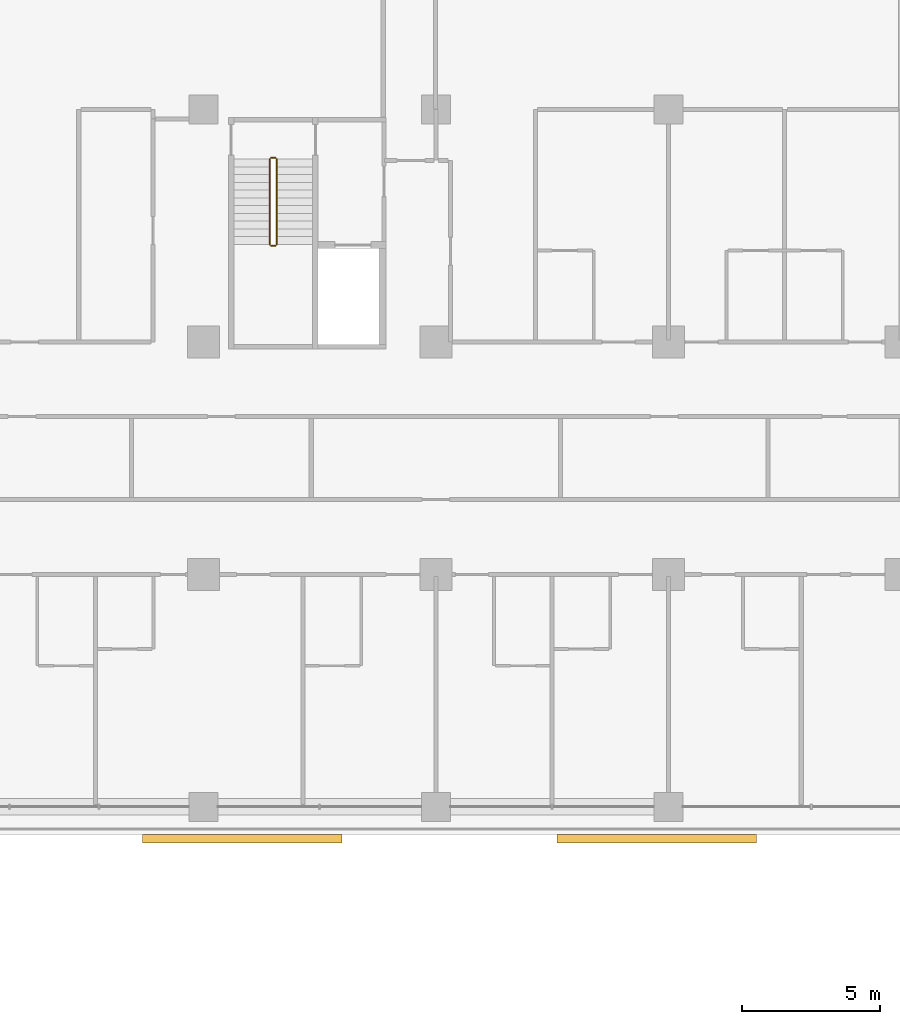
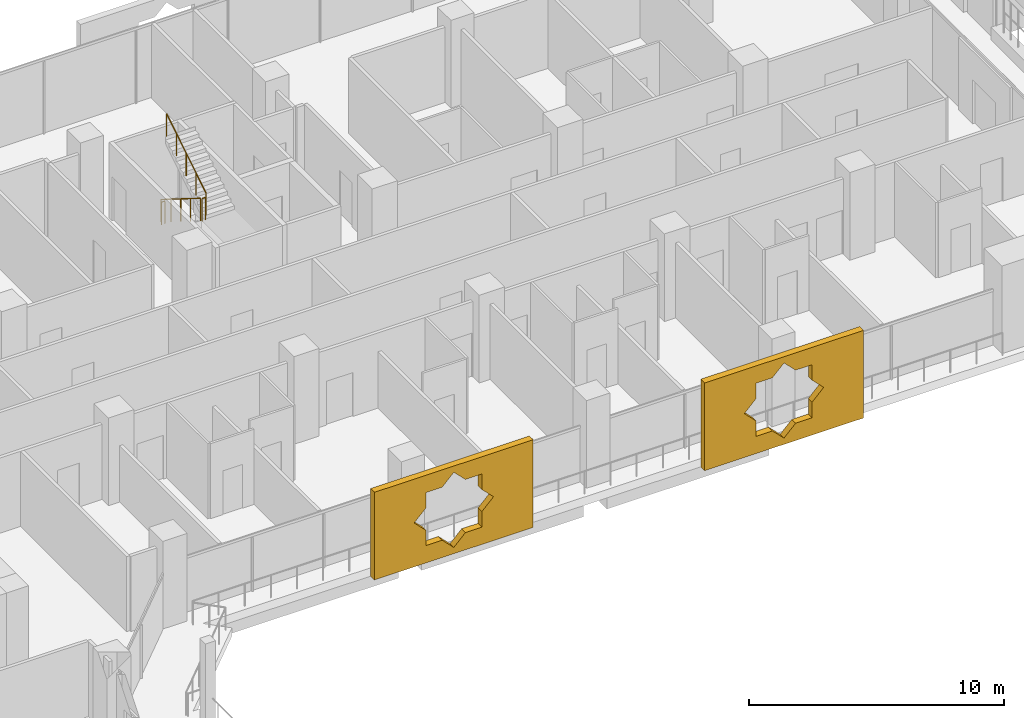
# One storey, part 24 of 25: 4 railings, 2 coverings.
"""IFC4 building model written with IfcOpenShell, lengths in metres."""

import ifcopenshell
import ifcopenshell.guid

model = None  # the IFC model being written
_history = None  # IfcOwnerHistory: only IFC2X3 demands one
_inside = {}  # id of a spatial element -> (the spatial element, [elements in it])
_under = {}  # id of a project, library or spatial element -> (it, [spatial elements below it])
_declared = {}  # id of a project -> (the project, [libraries it declares])
_typed = {}  # id of a type object -> (the type object, [elements of that type])
_made_of = {}  # id of a material, layer set ... -> (it, [elements and type objects made of it])


def new_model(schema):
    """Start an empty IFC model of exactly this schema.

    Asked for "IFC4X3", IfcOpenShell would pick the latest addendum, in which some entities
    have other attributes; the version numbers below select the first issue.
    IFC2X3 requires an IfcOwnerHistory on every rooted entity: one is made here for all.
    """
    global model, _history
    if schema == "IFC4X3":
        model = ifcopenshell.file(schema_version=(4, 3, 0, 0))
    else:
        model = ifcopenshell.file(schema=schema)
    _inside.clear()
    _under.clear()
    _declared.clear()
    _typed.clear()
    _made_of.clear()
    _history = None
    if model.schema == "IFC2X3":
        org = make("IfcOrganization", Name="unknown")
        user = make(
            "IfcPersonAndOrganization",
            ThePerson=make("IfcPerson", FamilyName="unknown"),
            TheOrganization=org,
        )
        app = make(
            "IfcApplication",
            ApplicationDeveloper=org,
            Version="unknown",
            ApplicationFullName="unknown",
            ApplicationIdentifier="unknown",
        )
        _history = make(
            "IfcOwnerHistory",
            OwningUser=user,
            OwningApplication=app,
            ChangeAction="ADDED",
            CreationDate=0,
        )
    return model


def make(cls, **values):
    """One entity of the class cls with the attributes given. An attribute that is None is left unset."""
    return model.create_entity(
        cls, **{name: value for name, value in values.items() if value is not None}
    )


def rooted(cls, **values):
    """An entity with a GlobalId (a new one), such as an element, a storey or a relation."""
    return make(cls, GlobalId=ifcopenshell.guid.new(), OwnerHistory=_history, **values)


def si_unit(unit_type, name, prefix=None):
    """IfcSIUnit, for example si_unit("LENGTHUNIT", "METRE", prefix="MILLI")."""
    return make("IfcSIUnit", UnitType=unit_type, Prefix=prefix, Name=name)


def assignment(units):
    """IfcUnitAssignment: the units of a project."""
    return None if units is None else make("IfcUnitAssignment", Units=units)


def point(xyz):
    """IfcCartesianPoint."""
    return None if xyz is None else make("IfcCartesianPoint", Coordinates=xyz)


def direction(xyz):
    """IfcDirection."""
    return None if xyz is None else make("IfcDirection", DirectionRatios=xyz)


def frame(location, z_axis=None, x_axis=None):
    """IfcAxis2Placement3D, a coordinate frame: its origin and axes. An axis left out is left unset."""
    return make(
        "IfcAxis2Placement3D",
        Location=point(location),
        Axis=direction(z_axis),
        RefDirection=direction(x_axis),
    )


def frame_2d(location, x_axis=None):
    """IfcAxis2Placement2D, a coordinate frame in the plane: its origin and x axis."""
    return make(
        "IfcAxis2Placement2D", Location=point(location), RefDirection=direction(x_axis)
    )


def origin():
    """The frame at (0, 0, 0) with its axes left unset."""
    return frame((0.0, 0.0, 0.0))


def origin_2d():
    """The frame at (0, 0) in the plane with its x axis left unset."""
    return frame_2d((0.0, 0.0))


def place(relative_to, where):
    """IfcLocalPlacement: puts the frame where relative to a parent placement (None: the world)."""
    return make(
        "IfcLocalPlacement", PlacementRelTo=relative_to, RelativePlacement=where
    )


def context(
    kind, dimensions, precision=None, world=None, true_north=None, identifier=None
):
    """IfcGeometricRepresentationContext, for example the 3D "Model" context."""
    return make(
        "IfcGeometricRepresentationContext",
        ContextIdentifier=identifier,
        ContextType=kind,
        CoordinateSpaceDimension=dimensions,
        Precision=precision,
        WorldCoordinateSystem=world,
        TrueNorth=true_north,
    )


def subcontext(parent, identifier, kind, view, scale=None):
    """IfcGeometricRepresentationSubContext, for example "Body" below "Model"."""
    return make(
        "IfcGeometricRepresentationSubContext",
        ContextIdentifier=identifier,
        ContextType=kind,
        ParentContext=parent,
        TargetScale=scale,
        TargetView=view,
    )


def project(units=None, contexts=None):
    """IfcProject with its units and contexts."""
    return rooted(
        "IfcProject",
        Name="project",
        RepresentationContexts=contexts,
        UnitsInContext=assignment(units),
    )


def spatial(cls, under=None, at=None, **own):
    """A site, building, storey or space (cls), placed at a placement, below another one or the project."""
    s = rooted(cls, ObjectPlacement=at, **own)
    if under is not None:
        _under.setdefault(under.id(), (under, []))[1].append(s)
    return s


def polyline(points):
    """IfcPolyline through the points."""
    return make("IfcPolyline", Points=[point(p) for p in points])


def profile(cls, at=None, kind="AREA", **sizes):
    """A parametric profile (cls). Its sizes go by their IFC names, for example OverallWidth=200.0."""
    return make(cls, ProfileType=kind, Position=at, **sizes)


def circle(**sizes):
    """IfcCircleProfileDef."""
    return profile("IfcCircleProfileDef", **sizes)


def outline(outer, holes=None, kind="AREA"):
    """IfcArbitraryClosedProfileDef: a profile drawn as a closed curve; with holes, ...WithVoids."""
    if holes is None:
        return make("IfcArbitraryClosedProfileDef", ProfileType=kind, OuterCurve=outer)
    return make(
        "IfcArbitraryProfileDefWithVoids",
        ProfileType=kind,
        OuterCurve=outer,
        InnerCurves=holes,
    )


def extrude(swept, where, along, depth):
    """IfcExtrudedAreaSolid: the profile swept, set in the frame where, extruded along a direction by depth."""
    return make(
        "IfcExtrudedAreaSolid",
        SweptArea=swept,
        Position=where,
        ExtrudedDirection=direction(along),
        Depth=depth,
    )


def shape(context_of_items, identifier, shape_type, items):
    """IfcShapeRepresentation: the items that make up one representation, for example the "Body"."""
    return make(
        "IfcShapeRepresentation",
        ContextOfItems=context_of_items,
        RepresentationIdentifier=identifier,
        RepresentationType=shape_type,
        Items=items,
    )


def material(Name=None, Category=None):
    """IfcMaterial."""
    return make("IfcMaterial", Name=Name, Category=Category)


def material_profile(
    of_material, cross_section, Name=None, Category=None, Priority=None
):
    """IfcMaterialProfile: a cross section and its material."""
    return make(
        "IfcMaterialProfile",
        Name=Name,
        Material=of_material,
        Profile=cross_section,
        Priority=Priority,
        Category=Category,
    )


def profile_set(profiles, Name=None, composite=None):
    """IfcMaterialProfileSet."""
    return make(
        "IfcMaterialProfileSet",
        Name=Name,
        MaterialProfiles=profiles,
        CompositeProfile=composite,
    )


def made_of(thing, what):
    """Note that an element or type object is made of a material, layer set ...; save() writes the relation."""
    if what is not None:
        _made_of.setdefault(what.id(), (what, []))[1].append(thing)
    return thing


def type_object(cls, material=None, **own):
    """A type object (cls), such as IfcWallType, which elements share."""
    return made_of(rooted(cls, **own), material)


def element(
    cls,
    number,
    at=None,
    inside=None,
    cuts=None,
    type_object=None,
    material=None,
    context=None,
    identifier="Body",
    shape_type=None,
    held_by="IfcProductDefinitionShape",
    body=None,
    shapes=None,
    **own,
):
    """One element of the class cls, such as IfcWall. Its Tag is "e" and its number.

    at: its placement. inside: the storey or other place that contains it. cuts: it is an
    opening in that element (IfcRelVoidsElement). A single representation is given by context,
    identifier, shape_type and body (its items); several are given by shapes. held_by: the class
    of the entity that holds the representations. save() writes the other relations.
    """
    e = rooted(cls, Tag="e%d" % number, ObjectPlacement=at, **own)
    if body is not None:
        shapes = [shape(context, identifier, shape_type, body)]
    if shapes is not None:
        e.Representation = make(held_by, Representations=shapes)
    if inside is not None:
        _inside.setdefault(inside.id(), (inside, []))[1].append(e)
    if cuts is not None:
        rooted(
            "IfcRelVoidsElement", RelatingBuildingElement=cuts, RelatedOpeningElement=e
        )
    if type_object is not None:
        _typed.setdefault(type_object.id(), (type_object, []))[1].append(e)
    return made_of(e, material)


def aggregate(whole, parts):
    """IfcRelAggregates: a whole, such as a stair, and the parts it consists of."""
    return rooted("IfcRelAggregates", RelatingObject=whole, RelatedObjects=parts)


def save(model, path):
    """Write the relations noted so far, then the file.

    IfcRelAggregates (storeys below a building ...), IfcRelContainedInSpatialStructure (elements
    in a storey), IfcRelDefinesByType, IfcRelAssociatesMaterial and IfcRelDeclares: one each for
    every whole, place, type object, material and project.
    """
    for whole, parts in _under.values():
        aggregate(whole, parts)
    for where, things in _inside.values():
        rooted(
            "IfcRelContainedInSpatialStructure",
            RelatedElements=things,
            RelatingStructure=where,
        )
    for kind, things in _typed.values():
        rooted("IfcRelDefinesByType", RelatedObjects=things, RelatingType=kind)
    for what, things in _made_of.values():
        rooted("IfcRelAssociatesMaterial", RelatedObjects=things, RelatingMaterial=what)
    for by, libraries in _declared.values():
        rooted("IfcRelDeclares", RelatingContext=by, RelatedDefinitions=libraries)
    model.write(path)


model = new_model("IFC4")

# Units and contexts
model_context = context("Model", 3, precision=1e-05, world=origin(), true_north=direction((0.0, 1.0)))
body_context = subcontext(model_context, "Body", "Model", "MODEL_VIEW")
ifc_project = project(units=[si_unit("LENGTHUNIT", "METRE"), si_unit("AREAUNIT", "SQUARE_METRE"), si_unit("VOLUMEUNIT", "CUBIC_METRE"), si_unit("PLANEANGLEUNIT", "RADIAN"), si_unit("MASSUNIT", "GRAM", prefix="KILO")], contexts=[model_context])

# Site, building, storey
site_placement = place(None, origin())
site = spatial("IfcSite", under=ifc_project, at=site_placement, CompositionType="ELEMENT")
building_placement = place(site_placement, origin())
building = spatial("IfcBuilding", under=site, at=building_placement, Name="Kawkab Arch Medical Tower", CompositionType="ELEMENT")
storey_placement = place(building_placement, frame((0.0, 0.0, 111.39990234375)))
storey = spatial("IfcBuildingStorey", under=building, at=storey_placement, Name="L25", CompositionType="ELEMENT", Elevation=111.39990234375)

# Coverings
ifc_material_1 = material(Name="Bronze anodised aluminium mashrabiya panel, eight-point star pattern", Category="aluminium")
ifc_material_profile = material_profile(ifc_material_1, outline(polyline([(-3.60009765625, -2.10009765625), (3.60009765625, -2.10009765625), (3.60009765625, 2.10009765625), (-3.60009765625, 2.10009765625), (-3.60009765625, -2.10009765625)]), holes=[polyline([(1.800048828125, 0.0), (1.272705078125, 0.527099609375), (1.272705078125, 1.272705078125), (0.527099609375, 1.272705078125), (0.0, 1.800048828125), (-0.527099609375, 1.272705078125), (-1.272705078125, 1.272705078125), (-1.272705078125, 0.527099609375), (-1.800048828125, 0.0), (-1.272705078125, -0.527099609375), (-1.272705078125, -1.272705078125), (-0.527099609375, -1.272705078125), (0.0, -1.800048828125), (0.527099609375, -1.272705078125), (1.272705078125, -1.272705078125), (1.272705078125, -0.527099609375), (1.800048828125, 0.0)])]), Name="Mashrabiya panel 7200x4200")
ifc_profile_set = profile_set([ifc_material_profile], Name="Bronze anodised aluminium mashrabiya panel, eight-point star pattern")
covering_type = type_object("IfcCoveringType", Name="Mashrabiya panel 7200 x 4200", PredefinedType="USERDEFINED", material=ifc_profile_set)
for number, where, z_axis, x_axis, name in (
    (1, (58.376220703125, -26.199951171875, 1.7001953125), (0.0, -1.0, 0.0), (1.0, 0.0, 0.0), "Mashrabiya panel L25.LOG-01-01.1"),
    (2, (43.408447265625, -26.199951171875, 1.7001953125), (0.0, -1.0, 0.0), (1.0, 0.0, 0.0), "Mashrabiya panel L25.LOG-01-01.2"),
):
    element("IfcCovering", number, at=place(storey_placement, frame(where, z_axis=z_axis, x_axis=x_axis)), inside=storey, type_object=covering_type, Name=name, ObjectType="SCREEN", PredefinedType="USERDEFINED", context=body_context, shape_type="SweptSolid", body=[
        extrude(outline(polyline([(-3.60009765625, -2.10009765625), (3.60009765625, -2.10009765625), (3.60009765625, 2.10009765625), (-3.60009765625, 2.10009765625), (-3.60009765625, -2.10009765625)]), holes=[polyline([(1.800048828125, 0.0), (1.272705078125, 0.527099609375), (1.272705078125, 1.272705078125), (0.527099609375, 1.272705078125), (0.0, 1.800048828125), (-0.527099609375, 1.272705078125), (-1.272705078125, 1.272705078125), (-1.272705078125, 0.527099609375), (-1.800048828125, 0.0), (-1.272705078125, -0.527099609375), (-1.272705078125, -1.272705078125), (-0.527099609375, -1.272705078125), (0.0, -1.800048828125), (0.527099609375, -1.272705078125), (1.272705078125, -1.272705078125), (1.272705078125, -0.527099609375), (1.800048828125, 0.0)])]), origin(), (0.0, 0.0, 1.0), 0.300048828125),
    ])

# Railings
ifc_material_2 = material(Name="Stainless steel", Category="steel")
railing_type = type_object("IfcRailingType", Name="Stair guard 1100", PredefinedType="GUARDRAIL", material=ifc_material_2)
railing_1_placement = place(storey_placement, frame((44.39990234375, -1.800048828125, 0.175048828125)))
element("IfcRailing", 3, at=railing_1_placement, inside=storey, type_object=railing_type, Name="L25 ST5 stair guard 1", PredefinedType="GUARDRAIL", context=body_context, shape_type="SweptSolid", body=[
    extrude(circle(Radius=0.02392578125, at=origin_2d()), frame((0.0, 0.0, 1.076171875), z_axis=(0.0, -0.847979421464, 0.530029150871), x_axis=(1.0, 0.0, 0.0)), (0.0, 0.0, 1.0), 3.632080078125),
    extrude(circle(Radius=0.02099609375, at=origin_2d()), origin(), (0.0, 0.0, 1.0), 1.052001953125),
    extrude(circle(Radius=0.02099609375, at=origin_2d()), frame((0.0, -0.77001953125, 0.481201171875)), (0.0, 0.0, 1.0), 1.052001953125),
    extrude(circle(Radius=0.02099609375, at=origin_2d()), frame((0.0, -1.5400390625, 0.96240234375)), (0.0, 0.0, 1.0), 1.052001953125),
    extrude(circle(Radius=0.02099609375, at=origin_2d()), frame((0.0, -2.309814453125, 1.44384765625)), (0.0, 0.0, 1.0), 1.052001953125),
    extrude(circle(Radius=0.02099609375, at=origin_2d()), frame((0.0, -3.079833984375, 1.925048828125)), (0.0, 0.0, 1.0), 1.052001953125),
])
railing_2_placement = place(storey_placement, frame((44.449951171875, -4.929931640625, 2.10009765625)))
element("IfcRailing", 4, at=railing_2_placement, inside=storey, type_object=railing_type, Name="L25 ST5 stair guard 2", PredefinedType="GUARDRAIL", context=body_context, shape_type="SweptSolid", body=[
    extrude(circle(Radius=0.02392578125, at=origin_2d()), frame((0.0, 0.0, 1.076171875), z_axis=(1.0, 0.0, 0.0), x_axis=(0.0, 1.0, 0.0)), (0.0, 0.0, 1.0), 0.150146484375),
    extrude(circle(Radius=0.02099609375, at=origin_2d()), origin(), (0.0, 0.0, 1.0), 1.052001953125),
    extrude(circle(Radius=0.02099609375, at=origin_2d()), frame((0.150146484375, 0.0, 0.0)), (0.0, 0.0, 1.0), 1.052001953125),
])
railing_3_placement = place(storey_placement, frame((44.64990234375, -4.8798828125, 2.275146484375)))
element("IfcRailing", 5, at=railing_3_placement, inside=storey, type_object=railing_type, Name="L25 ST5 stair guard 3", PredefinedType="GUARDRAIL", context=body_context, shape_type="SweptSolid", body=[
    extrude(circle(Radius=0.02392578125, at=origin_2d()), frame((0.0, 0.0, 1.076171875), z_axis=(0.0, 0.847979421464, 0.530029150871), x_axis=(-1.0, 0.0, 0.0)), (0.0, 0.0, 1.0), 3.632080078125),
    extrude(circle(Radius=0.02099609375, at=origin_2d()), origin(), (0.0, 0.0, 1.0), 1.052001953125),
    extrude(circle(Radius=0.02099609375, at=origin_2d()), frame((0.0, 0.77001953125, 0.481201171875)), (0.0, 0.0, 1.0), 1.052001953125),
    extrude(circle(Radius=0.02099609375, at=origin_2d()), frame((0.0, 1.5400390625, 0.96240234375)), (0.0, 0.0, 1.0), 1.052001953125),
    extrude(circle(Radius=0.02099609375, at=origin_2d()), frame((0.0, 2.309814453125, 1.44384765625)), (0.0, 0.0, 1.0), 1.052001953125),
    extrude(circle(Radius=0.02099609375, at=origin_2d()), frame((0.0, 3.079833984375, 1.925048828125)), (0.0, 0.0, 1.0), 1.052001953125),
])
railing_4_placement = place(storey_placement, frame((44.449951171875, -1.75, 0.0)))
element("IfcRailing", 6, at=railing_4_placement, inside=storey, type_object=railing_type, Name="L25 ST5 stair guard 4", PredefinedType="GUARDRAIL", context=body_context, shape_type="SweptSolid", body=[
    extrude(circle(Radius=0.02392578125, at=origin_2d()), frame((0.0, 0.0, 1.076171875), z_axis=(1.0, 0.0, 0.0), x_axis=(0.0, 1.0, 0.0)), (0.0, 0.0, 1.0), 0.150146484375),
    extrude(circle(Radius=0.02099609375, at=origin_2d()), origin(), (0.0, 0.0, 1.0), 1.052001953125),
    extrude(circle(Radius=0.02099609375, at=origin_2d()), frame((0.150146484375, 0.0, 0.0)), (0.0, 0.0, 1.0), 1.052001953125),
])

save(model, "model.ifc")
